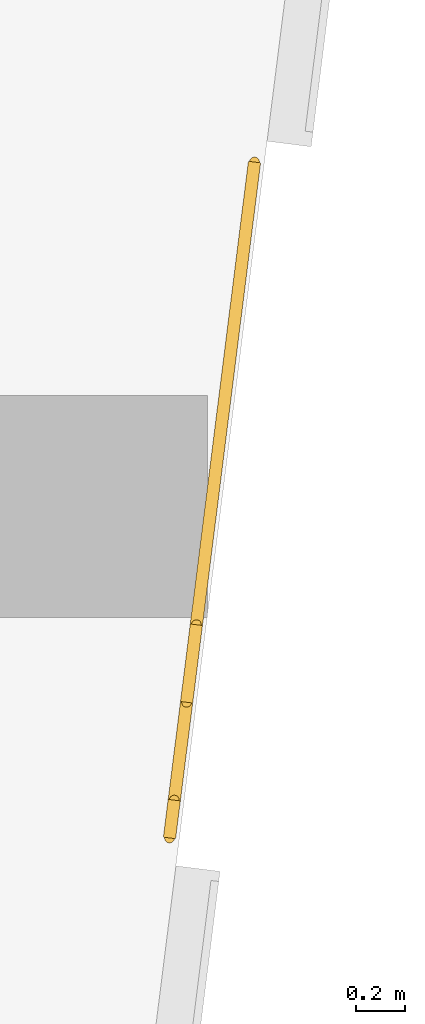
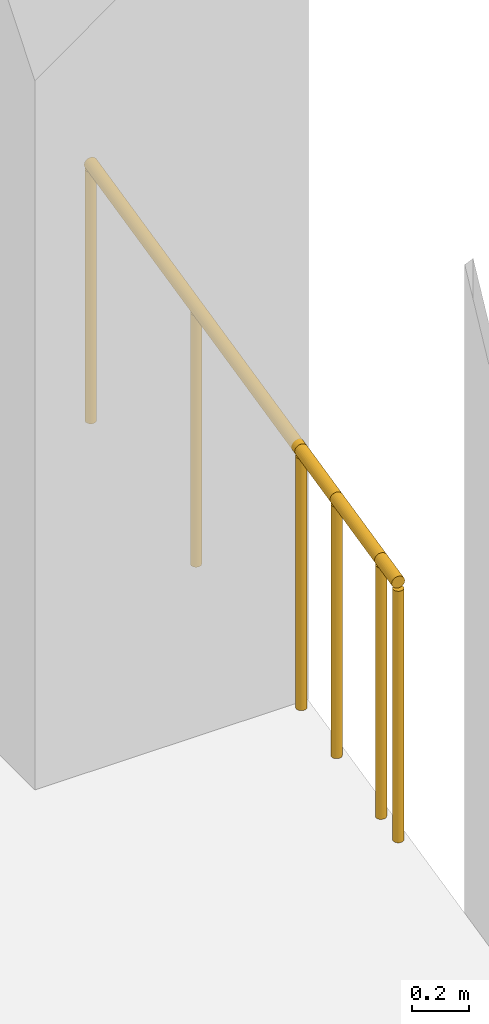
# One storey, part 26 of 29: 4 railings.
"""IFC4 building model written with IfcOpenShell, lengths in metres."""

from ifc_helpers import new_model, si_unit, direction, frame, origin, origin_2d, place, context, subcontext, project, spatial, circle, extrude, material, type_object, element, save


model = new_model("IFC4")

# Units and contexts
model_context = context("Model", 3, precision=1e-05, world=origin(), true_north=direction((0.0, 1.0)))
body_context = subcontext(model_context, "Body", "Model", "MODEL_VIEW")
ifc_project = project(units=[si_unit("LENGTHUNIT", "METRE"), si_unit("AREAUNIT", "SQUARE_METRE"), si_unit("VOLUMEUNIT", "CUBIC_METRE"), si_unit("PLANEANGLEUNIT", "RADIAN"), si_unit("MASSUNIT", "GRAM", prefix="KILO")], contexts=[model_context])

# Site, building, storey
site_placement = place(None, origin())
site = spatial("IfcSite", under=ifc_project, at=site_placement, CompositionType="ELEMENT")
building_placement = place(site_placement, origin())
building = spatial("IfcBuilding", under=site, at=building_placement, Name="Orlundy Tower", CompositionType="ELEMENT")
storey_placement = place(building_placement, frame((0.0, 0.0, 188.60009765625)))
storey = spatial("IfcBuildingStorey", under=building, at=storey_placement, Name="L49", CompositionType="ELEMENT", Elevation=188.60009765625)

# Railings
ifc_material = material(Name="Stainless steel bronze finish", Category="steel")
railing_type = type_object("IfcRailingType", Name="TG1 terrace guard", PredefinedType="GUARDRAIL", material=ifc_material)
railing_1_placement = place(storey_placement, frame((15.87109375, -33.7666015625, 0.0)))
element("IfcRailing", 1, at=railing_1_placement, inside=storey, type_object=railing_type, Name="Guard TG-L49-E018", PredefinedType="GUARDRAIL", context=body_context, shape_type="SweptSolid", body=[
    extrude(circle(Radius=0.02490234375, at=origin_2d()), frame((0.0, 0.0, 1.09521484375), z_axis=(-0.124638779985, -0.992202184297, 0.0), x_axis=(0.992202184297, -0.124638779985, 0.0)), (0.0, 0.0, 1.0), 1.89013671875),
    extrude(circle(Radius=0.02001953125, at=origin_2d()), origin(), (0.0, 0.0, 1.0), 1.070068359375),
    extrude(circle(Radius=0.02001953125, at=origin_2d()), frame((-0.11767578125, -0.937744140625, 0.0)), (0.0, 0.0, 1.0), 1.070068359375),
    extrude(circle(Radius=0.02001953125, at=origin_2d()), frame((-0.235595703125, -1.87548828125, 0.0)), (0.0, 0.0, 1.0), 1.070068359375),
])
railing_2_placement = place(storey_placement, frame((15.595947265625, -35.956298828125, 0.0)))
element("IfcRailing", 2, at=railing_2_placement, inside=storey, type_object=railing_type, Name="Guard TG-L49-E026", PredefinedType="GUARDRAIL", context=body_context, shape_type="SweptSolid", body=[
    extrude(circle(Radius=0.02490234375, at=origin_2d()), frame((0.0, 0.0, 1.09521484375), z_axis=(-0.125161815379, -0.992136341422, 0.0), x_axis=(0.992136341422, -0.125161815379, 0.0)), (0.0, 0.0, 1.0), 0.39990234375),
    extrude(circle(Radius=0.02001953125, at=origin_2d()), origin(), (0.0, 0.0, 1.0), 1.070068359375),
    extrude(circle(Radius=0.02001953125, at=origin_2d()), frame((-0.050048828125, -0.396728515625, 0.0)), (0.0, 0.0, 1.0), 1.070068359375),
])
railing_3_placement = place(storey_placement, frame((15.635498046875, -35.64208984375, 0.0)))
element("IfcRailing", 3, at=railing_3_placement, inside=storey, type_object=railing_type, Name="Guard TG-L49-E027", PredefinedType="GUARDRAIL", context=body_context, shape_type="SweptSolid", body=[
    extrude(circle(Radius=0.02490234375, at=origin_2d()), frame((0.0, 0.0, 1.09521484375), z_axis=(-0.124888627995, -0.992170766853, 0.0), x_axis=(0.992170766853, -0.124888627995, 0.0)), (0.0, 0.0, 1.0), 0.316650390625),
    extrude(circle(Radius=0.02001953125, at=origin_2d()), origin(), (0.0, 0.0, 1.0), 1.070068359375),
    extrude(circle(Radius=0.02001953125, at=origin_2d()), frame((-0.03955078125, -0.314208984375, 0.0)), (0.0, 0.0, 1.0), 1.070068359375),
])
railing_4_placement = place(storey_placement, frame((15.5458984375, -36.35302734375, 0.0)))
element("IfcRailing", 4, at=railing_4_placement, inside=storey, type_object=railing_type, Name="Guard TG-L49-E028", PredefinedType="GUARDRAIL", context=body_context, shape_type="SweptSolid", body=[
    extrude(circle(Radius=0.02490234375, at=origin_2d()), frame((0.0, 0.0, 1.09521484375), z_axis=(-0.124812495874, -0.99218034695, 0.0), x_axis=(0.99218034695, -0.124812495874, 0.0)), (0.0, 0.0, 1.0), 0.154541015625),
    extrude(circle(Radius=0.02001953125, at=origin_2d()), origin(), (0.0, 0.0, 1.0), 1.070068359375),
    extrude(circle(Radius=0.02001953125, at=origin_2d()), frame((-0.019287109375, -0.1533203125, 0.0)), (0.0, 0.0, 1.0), 1.070068359375),
])

save(model, "model.ifc")
